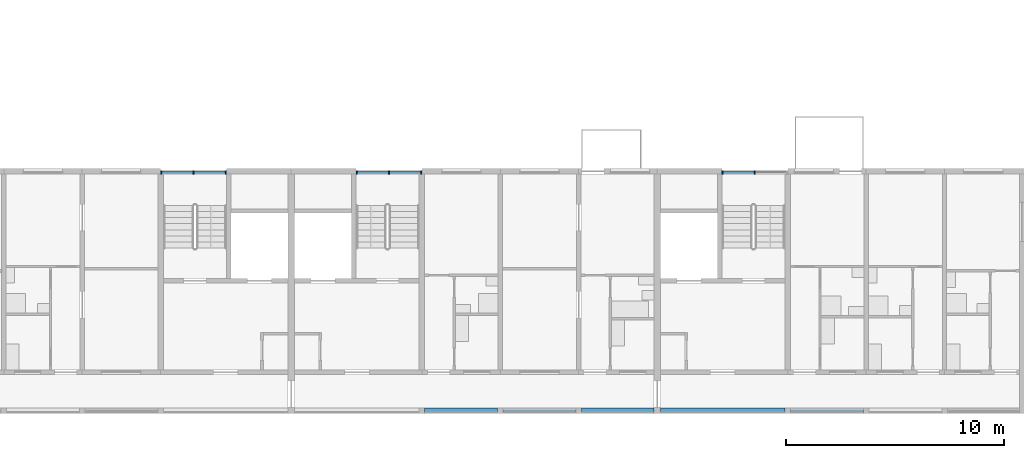
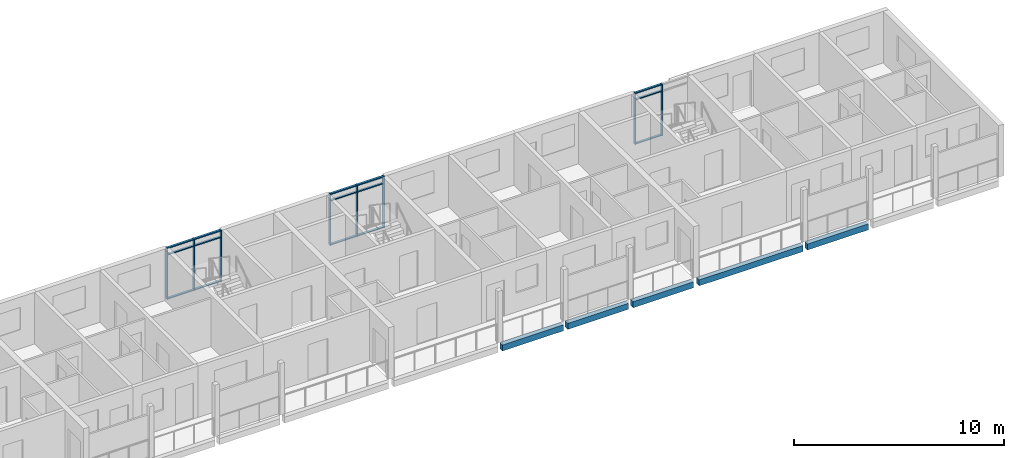
# One storey, part 18 of 87: 23 members, 5 beams, 3 elements without a shape of their own.
"""IFC4 building model written with IfcOpenShell, lengths in metres."""

from ifc_helpers import new_model, si_unit, direction, frame, origin, origin_2d, place, context, subcontext, project, spatial, rectangle, extrude, material, material_profile, profile_set, type_object, element, aggregate, save


model = new_model("IFC4")

# Units and contexts
model_context = context("Model", 3, precision=1e-05, world=origin(), true_north=direction((0.0, 1.0)))
body_context = subcontext(model_context, "Body", "Model", "MODEL_VIEW")
ifc_project = project(units=[si_unit("LENGTHUNIT", "METRE"), si_unit("AREAUNIT", "SQUARE_METRE"), si_unit("VOLUMEUNIT", "CUBIC_METRE"), si_unit("PLANEANGLEUNIT", "RADIAN"), si_unit("MASSUNIT", "GRAM", prefix="KILO")], contexts=[model_context])

# Site, building, storey
site_placement = place(None, origin())
site = spatial("IfcSite", under=ifc_project, at=site_placement, CompositionType="ELEMENT")
building_placement = place(site_placement, origin())
building = spatial("IfcBuilding", under=site, at=building_placement, Name="Ridgestep Commons", CompositionType="ELEMENT")
storey_placement = place(building_placement, frame((0.0, 0.0, 27.0)))
storey = spatial("IfcBuildingStorey", under=building, at=storey_placement, Name="L09", CompositionType="ELEMENT", Elevation=27.0)

# Beams
ifc_material_1 = material(Name="Precast concrete C40/50", Category="concrete")
ifc_material_profile_1 = material_profile(ifc_material_1, rectangle(XDim=0.25, YDim=0.35009765625, at=origin_2d()), Name="PC 250x350")
ifc_profile_set_1 = profile_set([ifc_material_profile_1], Name="Precast concrete C40/50")
beam_type = type_object("IfcBeamType", Name="Loggia edge beam 250 x 350", PredefinedType="SPANDREL", material=ifc_profile_set_1)
beam_1_placement = place(storey_placement, frame((220.125, 11.875, -0.375), z_axis=(1.0, 0.0, 0.0), x_axis=(0.0, 1.0, 0.0)))
element("IfcBeam", 1, at=beam_1_placement, inside=storey, type_object=beam_type, Name="Loggia edge beam D5T3 L09", PredefinedType="SPANDREL", context=body_context, shape_type="SweptSolid", body=[
    extrude(rectangle(XDim=0.25, YDim=0.35009765625, at=origin_2d()), origin(), (0.0, 0.0, 1.0), 3.35009765625),
])
beam_2_placement = place(storey_placement, frame((223.72509765625, 11.875, -0.375), z_axis=(1.0, 0.0, 0.0), x_axis=(0.0, 1.0, 0.0)))
element("IfcBeam", 2, at=beam_2_placement, inside=storey, type_object=beam_type, Name="Loggia edge beam D5T2 L09", PredefinedType="SPANDREL", context=body_context, shape_type="SweptSolid", body=[
    extrude(rectangle(XDim=0.25, YDim=0.35009765625, at=origin_2d()), origin(), (0.0, 0.0, 1.0), 3.349853515625),
])
beam_3_placement = place(storey_placement, frame((227.324951171875, 11.875, -0.375), z_axis=(1.0, 0.0, 0.0), x_axis=(0.0, 1.0, 0.0)))
element("IfcBeam", 3, at=beam_3_placement, inside=storey, type_object=beam_type, Name="Loggia edge beam D5T1 L09", PredefinedType="SPANDREL", context=body_context, shape_type="SweptSolid", body=[
    extrude(rectangle(XDim=0.25, YDim=0.35009765625, at=origin_2d()), origin(), (0.0, 0.0, 1.0), 3.324951171875),
])
beam_4_placement = place(storey_placement, frame((230.949951171875, 11.875, -0.375), z_axis=(1.0, 0.0, 0.0), x_axis=(0.0, 1.0, 0.0)))
element("IfcBeam", 4, at=beam_4_placement, inside=storey, type_object=beam_type, Name="Loggia edge beam D6C L09", PredefinedType="SPANDREL", context=body_context, shape_type="SweptSolid", body=[
    extrude(rectangle(XDim=0.25, YDim=0.35009765625, at=origin_2d()), origin(), (0.0, 0.0, 1.0), 5.72509765625),
])
beam_5_placement = place(storey_placement, frame((236.925048828125, 11.875, -0.375), z_axis=(1.0, 0.0, 0.0), x_axis=(0.0, 1.0, 0.0)))
element("IfcBeam", 5, at=beam_5_placement, inside=storey, type_object=beam_type, Name="Loggia edge beam D6T3 L09", PredefinedType="SPANDREL", context=body_context, shape_type="SweptSolid", body=[
    extrude(rectangle(XDim=0.25, YDim=0.35009765625, at=origin_2d()), origin(), (0.0, 0.0, 1.0), 3.349853515625),
])

# Curtain wall, members
ifc_material_2 = material(Name="Aluminium 6063-T6 and glass", Category="aluminium")
curtain_wall_type = type_object("IfcCurtainWallType", Name="Curtain wall stair strip", PredefinedType="NOTDEFINED", material=ifc_material_2)
curtain_wall_1_placement = place(storey_placement, origin())
curtain_wall_1 = element("IfcCurtainWall", 6, at=curtain_wall_1_placement, inside=storey, type_object=curtain_wall_type, Name="Curtain wall D4C level 09", PredefinedType="NOTDEFINED")
ifc_material_3 = material(Name="Aluminium 6063-T6", Category="aluminium")
ifc_material_profile_2 = material_profile(ifc_material_3, rectangle(XDim=0.159912109375, YDim=0.06005859375, at=origin_2d()), Name="Mullion 60 x 160")
ifc_profile_set_2 = profile_set([ifc_material_profile_2], Name="Aluminium 6063-T6")
member_type_1 = type_object("IfcMemberType", Name="Mullion 60 x 160", PredefinedType="MULLION", material=ifc_profile_set_2)
member_1_placement = place(storey_placement, frame((208.030029296875, 22.830078125, 0.0), z_axis=(0.0, 0.0, 1.0), x_axis=(0.0, 1.0, 0.0)))
member_1 = element("IfcMember", 7, at=member_1_placement, type_object=member_type_1, Name="CW1 mullion 1", PredefinedType="MULLION", context=body_context, shape_type="SweptSolid", body=[
    extrude(rectangle(XDim=0.159912109375, YDim=0.06005859375, at=origin_2d()), origin(), (0.0, 0.0, 1.0), 3.0),
])
member_2_placement = place(storey_placement, frame((209.512451171875, 22.830078125, 0.0), z_axis=(0.0, 0.0, 1.0), x_axis=(0.0, 1.0, 0.0)))
member_2 = element("IfcMember", 8, at=member_2_placement, type_object=member_type_1, Name="CW1 mullion 2", PredefinedType="MULLION", context=body_context, shape_type="SweptSolid", body=[
    extrude(rectangle(XDim=0.159912109375, YDim=0.06005859375, at=origin_2d()), origin(), (0.0, 0.0, 1.0), 3.0),
])
member_3_placement = place(storey_placement, frame((210.9951171875, 22.830078125, 0.0), z_axis=(0.0, 0.0, 1.0), x_axis=(0.0, 1.0, 0.0)))
member_3 = element("IfcMember", 9, at=member_3_placement, type_object=member_type_1, Name="CW1 mullion 3", PredefinedType="MULLION", context=body_context, shape_type="SweptSolid", body=[
    extrude(rectangle(XDim=0.159912109375, YDim=0.06005859375, at=origin_2d()), origin(), (0.0, 0.0, 1.0), 3.0),
])

curtain_wall_2_placement = place(storey_placement, origin())
curtain_wall_2 = element("IfcCurtainWall", 10, at=curtain_wall_2_placement, inside=storey, type_object=curtain_wall_type, Name="Curtain wall D5C level 09", PredefinedType="NOTDEFINED")
member_4_placement = place(storey_placement, frame((217.0048828125, 22.830078125, 0.0), z_axis=(0.0, 0.0, 1.0), x_axis=(0.0, 1.0, 0.0)))
member_4 = element("IfcMember", 11, at=member_4_placement, type_object=member_type_1, Name="CW1 mullion 1", PredefinedType="MULLION", context=body_context, shape_type="SweptSolid", body=[
    extrude(rectangle(XDim=0.159912109375, YDim=0.06005859375, at=origin_2d()), origin(), (0.0, 0.0, 1.0), 3.0),
])
member_5_placement = place(storey_placement, frame((218.487548828125, 22.830078125, 0.0), z_axis=(0.0, 0.0, 1.0), x_axis=(0.0, 1.0, 0.0)))
member_5 = element("IfcMember", 12, at=member_5_placement, type_object=member_type_1, Name="CW1 mullion 2", PredefinedType="MULLION", context=body_context, shape_type="SweptSolid", body=[
    extrude(rectangle(XDim=0.159912109375, YDim=0.06005859375, at=origin_2d()), origin(), (0.0, 0.0, 1.0), 3.0),
])
member_6_placement = place(storey_placement, frame((219.969970703125, 22.830078125, 0.0), z_axis=(0.0, 0.0, 1.0), x_axis=(0.0, 1.0, 0.0)))
member_6 = element("IfcMember", 13, at=member_6_placement, type_object=member_type_1, Name="CW1 mullion 3", PredefinedType="MULLION", context=body_context, shape_type="SweptSolid", body=[
    extrude(rectangle(XDim=0.159912109375, YDim=0.06005859375, at=origin_2d()), origin(), (0.0, 0.0, 1.0), 3.0),
])

curtain_wall_3_placement = place(storey_placement, origin())
curtain_wall_3 = element("IfcCurtainWall", 14, at=curtain_wall_3_placement, inside=storey, type_object=curtain_wall_type, Name="Curtain wall D6C level 09", PredefinedType="NOTDEFINED")
member_7_placement = place(storey_placement, frame((233.804931640625, 22.830078125, 0.0), z_axis=(0.0, 0.0, 1.0), x_axis=(0.0, 1.0, 0.0)))
member_7 = element("IfcMember", 15, at=member_7_placement, type_object=member_type_1, Name="CW1 mullion 1", PredefinedType="MULLION", context=body_context, shape_type="SweptSolid", body=[
    extrude(rectangle(XDim=0.159912109375, YDim=0.06005859375, at=origin_2d()), origin(), (0.0, 0.0, 1.0), 3.0),
])
member_8_placement = place(storey_placement, frame((235.28759765625, 22.830078125, 0.0), z_axis=(0.0, 0.0, 1.0), x_axis=(0.0, 1.0, 0.0)))
member_8 = element("IfcMember", 16, at=member_8_placement, type_object=member_type_1, Name="CW1 mullion 2", PredefinedType="MULLION", context=body_context, shape_type="SweptSolid", body=[
    extrude(rectangle(XDim=0.159912109375, YDim=0.06005859375, at=origin_2d()), origin(), (0.0, 0.0, 1.0), 3.0),
])

# Member
ifc_material_4 = material(Name="Aluminium 6063-T6", Category="aluminium")
ifc_material_profile_3 = material_profile(ifc_material_4, rectangle(XDim=0.1201171875, YDim=0.06005859375, at=origin_2d()), Name="Transom 60 x 120")
ifc_profile_set_3 = profile_set([ifc_material_profile_3], Name="Aluminium 6063-T6")
member_type_2 = type_object("IfcMemberType", Name="Transom 60 x 120", PredefinedType="USERDEFINED", material=ifc_profile_set_3)
member_9_placement = place(storey_placement, frame((208.06005859375, 22.830078125, 0.030029296875), z_axis=(1.0, 0.0, 0.0), x_axis=(0.0, 1.0, 0.0)))
member_9 = element("IfcMember", 17, at=member_9_placement, type_object=member_type_2, Name="CW1 transom 1.1", ObjectType="TRANSOM", PredefinedType="USERDEFINED", context=body_context, shape_type="SweptSolid", body=[
    extrude(rectangle(XDim=0.1201171875, YDim=0.06005859375, at=origin_2d()), origin(), (0.0, 0.0, 1.0), 1.42236328125),
])

member_10_placement = place(storey_placement, frame((208.06005859375, 22.830078125, 2.590087890625), z_axis=(1.0, 0.0, 0.0), x_axis=(0.0, 1.0, 0.0)))
member_10 = element("IfcMember", 18, at=member_10_placement, type_object=member_type_2, Name="CW1 transom 1.2", ObjectType="TRANSOM", PredefinedType="USERDEFINED", context=body_context, shape_type="SweptSolid", body=[
    extrude(rectangle(XDim=0.1201171875, YDim=0.06005859375, at=origin_2d()), origin(), (0.0, 0.0, 1.0), 1.42236328125),
])

member_11_placement = place(storey_placement, frame((208.06005859375, 22.830078125, 2.969970703125), z_axis=(1.0, 0.0, 0.0), x_axis=(0.0, 1.0, 0.0)))
member_11 = element("IfcMember", 19, at=member_11_placement, type_object=member_type_2, Name="CW1 transom 1.3", ObjectType="TRANSOM", PredefinedType="USERDEFINED", context=body_context, shape_type="SweptSolid", body=[
    extrude(rectangle(XDim=0.1201171875, YDim=0.06005859375, at=origin_2d()), origin(), (0.0, 0.0, 1.0), 1.42236328125),
])

member_12_placement = place(storey_placement, frame((209.54248046875, 22.830078125, 0.030029296875), z_axis=(1.0, 0.0, 0.0), x_axis=(0.0, 1.0, 0.0)))
member_12 = element("IfcMember", 20, at=member_12_placement, type_object=member_type_2, Name="CW1 transom 2.1", ObjectType="TRANSOM", PredefinedType="USERDEFINED", context=body_context, shape_type="SweptSolid", body=[
    extrude(rectangle(XDim=0.1201171875, YDim=0.06005859375, at=origin_2d()), origin(), (0.0, 0.0, 1.0), 1.422607421875),
])

member_13_placement = place(storey_placement, frame((209.54248046875, 22.830078125, 2.590087890625), z_axis=(1.0, 0.0, 0.0), x_axis=(0.0, 1.0, 0.0)))
member_13 = element("IfcMember", 21, at=member_13_placement, type_object=member_type_2, Name="CW1 transom 2.2", ObjectType="TRANSOM", PredefinedType="USERDEFINED", context=body_context, shape_type="SweptSolid", body=[
    extrude(rectangle(XDim=0.1201171875, YDim=0.06005859375, at=origin_2d()), origin(), (0.0, 0.0, 1.0), 1.422607421875),
])

member_14_placement = place(storey_placement, frame((209.54248046875, 22.830078125, 2.969970703125), z_axis=(1.0, 0.0, 0.0), x_axis=(0.0, 1.0, 0.0)))
member_14 = element("IfcMember", 22, at=member_14_placement, type_object=member_type_2, Name="CW1 transom 2.3", ObjectType="TRANSOM", PredefinedType="USERDEFINED", context=body_context, shape_type="SweptSolid", body=[
    extrude(rectangle(XDim=0.1201171875, YDim=0.06005859375, at=origin_2d()), origin(), (0.0, 0.0, 1.0), 1.422607421875),
])

aggregate(curtain_wall_1, [member_1, member_2, member_3, member_9, member_10, member_11, member_12, member_13, member_14])

member_15_placement = place(storey_placement, frame((217.034912109375, 22.830078125, 0.030029296875), z_axis=(1.0, 0.0, 0.0), x_axis=(0.0, 1.0, 0.0)))
member_15 = element("IfcMember", 23, at=member_15_placement, type_object=member_type_2, Name="CW1 transom 1.1", ObjectType="TRANSOM", PredefinedType="USERDEFINED", context=body_context, shape_type="SweptSolid", body=[
    extrude(rectangle(XDim=0.1201171875, YDim=0.06005859375, at=origin_2d()), origin(), (0.0, 0.0, 1.0), 1.422607421875),
])

member_16_placement = place(storey_placement, frame((217.034912109375, 22.830078125, 2.590087890625), z_axis=(1.0, 0.0, 0.0), x_axis=(0.0, 1.0, 0.0)))
member_16 = element("IfcMember", 24, at=member_16_placement, type_object=member_type_2, Name="CW1 transom 1.2", ObjectType="TRANSOM", PredefinedType="USERDEFINED", context=body_context, shape_type="SweptSolid", body=[
    extrude(rectangle(XDim=0.1201171875, YDim=0.06005859375, at=origin_2d()), origin(), (0.0, 0.0, 1.0), 1.422607421875),
])

member_17_placement = place(storey_placement, frame((217.034912109375, 22.830078125, 2.969970703125), z_axis=(1.0, 0.0, 0.0), x_axis=(0.0, 1.0, 0.0)))
member_17 = element("IfcMember", 25, at=member_17_placement, type_object=member_type_2, Name="CW1 transom 1.3", ObjectType="TRANSOM", PredefinedType="USERDEFINED", context=body_context, shape_type="SweptSolid", body=[
    extrude(rectangle(XDim=0.1201171875, YDim=0.06005859375, at=origin_2d()), origin(), (0.0, 0.0, 1.0), 1.422607421875),
])

member_18_placement = place(storey_placement, frame((218.517578125, 22.830078125, 0.030029296875), z_axis=(1.0, 0.0, 0.0), x_axis=(0.0, 1.0, 0.0)))
member_18 = element("IfcMember", 26, at=member_18_placement, type_object=member_type_2, Name="CW1 transom 2.1", ObjectType="TRANSOM", PredefinedType="USERDEFINED", context=body_context, shape_type="SweptSolid", body=[
    extrude(rectangle(XDim=0.1201171875, YDim=0.06005859375, at=origin_2d()), origin(), (0.0, 0.0, 1.0), 1.42236328125),
])

member_19_placement = place(storey_placement, frame((218.517578125, 22.830078125, 2.590087890625), z_axis=(1.0, 0.0, 0.0), x_axis=(0.0, 1.0, 0.0)))
member_19 = element("IfcMember", 27, at=member_19_placement, type_object=member_type_2, Name="CW1 transom 2.2", ObjectType="TRANSOM", PredefinedType="USERDEFINED", context=body_context, shape_type="SweptSolid", body=[
    extrude(rectangle(XDim=0.1201171875, YDim=0.06005859375, at=origin_2d()), origin(), (0.0, 0.0, 1.0), 1.42236328125),
])

member_20_placement = place(storey_placement, frame((218.517578125, 22.830078125, 2.969970703125), z_axis=(1.0, 0.0, 0.0), x_axis=(0.0, 1.0, 0.0)))
member_20 = element("IfcMember", 28, at=member_20_placement, type_object=member_type_2, Name="CW1 transom 2.3", ObjectType="TRANSOM", PredefinedType="USERDEFINED", context=body_context, shape_type="SweptSolid", body=[
    extrude(rectangle(XDim=0.1201171875, YDim=0.06005859375, at=origin_2d()), origin(), (0.0, 0.0, 1.0), 1.42236328125),
])

aggregate(curtain_wall_2, [member_4, member_5, member_6, member_15, member_16, member_17, member_18, member_19, member_20])

member_21_placement = place(storey_placement, frame((233.8349609375, 22.830078125, 0.030029296875), z_axis=(1.0, 0.0, 0.0), x_axis=(0.0, 1.0, 0.0)))
member_21 = element("IfcMember", 29, at=member_21_placement, type_object=member_type_2, Name="CW1 transom 1.1", ObjectType="TRANSOM", PredefinedType="USERDEFINED", context=body_context, shape_type="SweptSolid", body=[
    extrude(rectangle(XDim=0.1201171875, YDim=0.06005859375, at=origin_2d()), origin(), (0.0, 0.0, 1.0), 1.422607421875),
])

member_22_placement = place(storey_placement, frame((233.8349609375, 22.830078125, 2.590087890625), z_axis=(1.0, 0.0, 0.0), x_axis=(0.0, 1.0, 0.0)))
member_22 = element("IfcMember", 30, at=member_22_placement, type_object=member_type_2, Name="CW1 transom 1.2", ObjectType="TRANSOM", PredefinedType="USERDEFINED", context=body_context, shape_type="SweptSolid", body=[
    extrude(rectangle(XDim=0.1201171875, YDim=0.06005859375, at=origin_2d()), origin(), (0.0, 0.0, 1.0), 1.422607421875),
])

member_23_placement = place(storey_placement, frame((233.8349609375, 22.830078125, 2.969970703125), z_axis=(1.0, 0.0, 0.0), x_axis=(0.0, 1.0, 0.0)))
member_23 = element("IfcMember", 31, at=member_23_placement, type_object=member_type_2, Name="CW1 transom 1.3", ObjectType="TRANSOM", PredefinedType="USERDEFINED", context=body_context, shape_type="SweptSolid", body=[
    extrude(rectangle(XDim=0.1201171875, YDim=0.06005859375, at=origin_2d()), origin(), (0.0, 0.0, 1.0), 1.422607421875),
])

aggregate(curtain_wall_3, [member_7, member_8, member_21, member_22, member_23])

save(model, "model.ifc")
